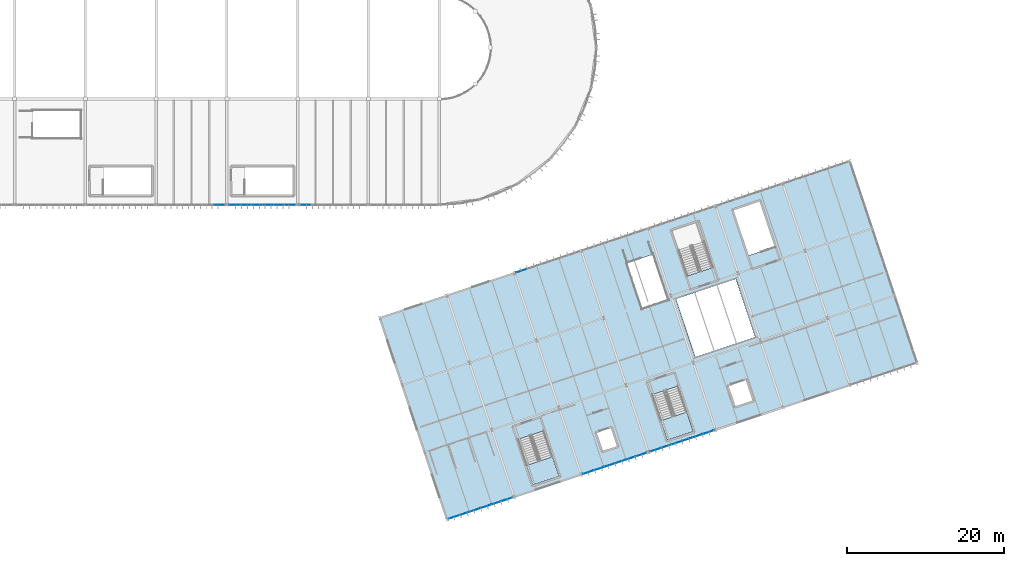
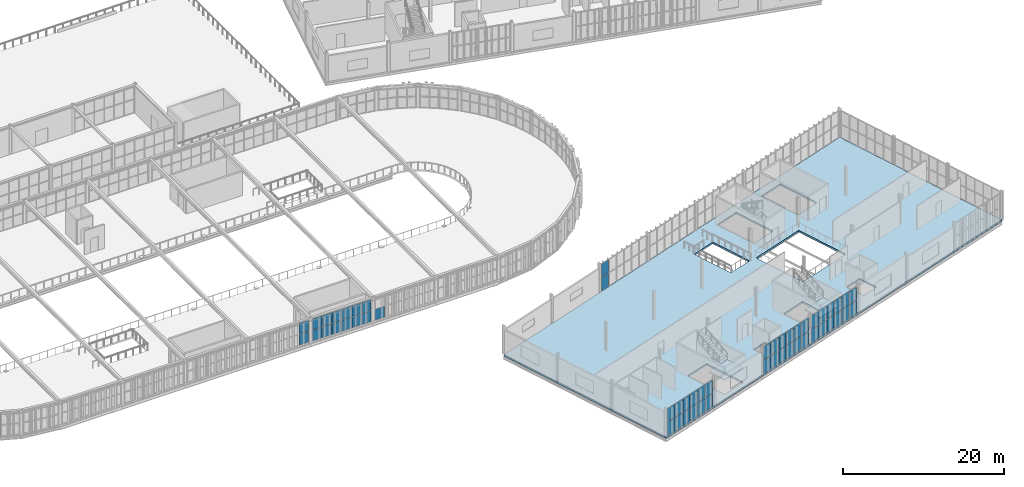
# One storey, part 106 of 152: 53 plates, 3 slabs, 9 elements without a shape of their own.
"""IFC4 building model written with IfcOpenShell, lengths in metres."""

from ifc_helpers import new_model, si_unit, derived_unit, direction, frame, origin, origin_2d, place, context, subcontext, project, spatial, polyline, rectangle, outline, extrude, material, layer, layer_set, type_object, element, aggregate, save


model = new_model("IFC4")

# Units and contexts
model_context = context("Model", 3, precision=1e-05, world=origin(), true_north=direction((0.0, 1.0)))
body_context = subcontext(model_context, "Body", "Model", "MODEL_VIEW")
ifc_project = project(units=[si_unit("LENGTHUNIT", "METRE"), si_unit("AREAUNIT", "SQUARE_METRE"), si_unit("VOLUMEUNIT", "CUBIC_METRE"), si_unit("PLANEANGLEUNIT", "RADIAN"), si_unit("MASSUNIT", "GRAM", prefix="KILO"), si_unit("THERMODYNAMICTEMPERATUREUNIT", "KELVIN"), si_unit("TIMEUNIT", "SECOND"), derived_unit("THERMALTRANSMITTANCEUNIT", [(si_unit("MASSUNIT", "GRAM", prefix="KILO"), 1), (si_unit("THERMODYNAMICTEMPERATUREUNIT", "KELVIN"), -1), (si_unit("TIMEUNIT", "SECOND"), -3)])], contexts=[model_context])

# Site, building, storey
site_placement = place(None, origin())
site = spatial("IfcSite", under=ifc_project, at=site_placement, CompositionType="ELEMENT")
building_placement = place(site_placement, origin())
building = spatial("IfcBuilding", under=site, at=building_placement, Name="Cambertide Market Hall", CompositionType="ELEMENT")
storey_placement = place(building_placement, frame((0.0, 0.0, 5.39990234375)))
storey = spatial("IfcBuildingStorey", under=building, at=storey_placement, Name="L02", CompositionType="ELEMENT", Elevation=5.39990234375)

# Stair, slab
ifc_material_1 = material(Name="Concrete B35", Category="concrete")
stair_type_1 = type_object("IfcStairType", Name="Concrete Dogleg Stair ST-05A", PredefinedType="HALF_TURN_STAIR", material=ifc_material_1)
stair_1_placement = place(storey_placement, origin())
stair_1 = element("IfcStair", 1, at=stair_1_placement, inside=storey, type_object=stair_type_1, Name="Level 2 Exit Stair Core 05A", PredefinedType="HALF_TURN_STAIR")
ifc_material_2 = material(Name="Concrete B35", Category="concrete")
ifc_layer_1 = layer(ifc_material_2, 0.199951171875, Name="Concrete Stair Half-Landing 200")
ifc_layer_set_1 = layer_set([ifc_layer_1], Name="Concrete B35")
slab_type_1 = type_object("IfcSlabType", Name="Concrete Stair Half-Landing 200", PredefinedType="LANDING", material=ifc_layer_set_1)
slab_1_placement = place(storey_placement, frame((0.0, 0.0, 2.050048828125)))
slab_1 = element("IfcSlab", 2, at=slab_1_placement, type_object=slab_type_1, Name="ST-05A landing 1", PredefinedType="LANDING", context=body_context, shape_type="SweptSolid", body=[
    extrude(outline(polyline([(116.095947265625, 18.869140625), (116.92578125, 16.379638671875), (120.24609375, 17.486572265625), (119.416259765625, 19.975830078125), (116.095947265625, 18.869140625)])), origin(), (0.0, 0.0, 1.0), 0.199951171875),
])
aggregate(stair_1, [slab_1])

ifc_material_3 = material(Name="Concrete B35", Category="concrete")
stair_type_2 = type_object("IfcStairType", Name="Concrete Dogleg Stair ST-06A", PredefinedType="HALF_TURN_STAIR", material=ifc_material_3)
stair_2_placement = place(storey_placement, origin())
stair_2 = element("IfcStair", 3, at=stair_2_placement, inside=storey, type_object=stair_type_2, Name="Level 2 Exit Stair Core 06A", PredefinedType="HALF_TURN_STAIR")
slab_2_placement = place(storey_placement, frame((0.0, 0.0, 2.050048828125)))
slab_2 = element("IfcSlab", 4, at=slab_2_placement, type_object=slab_type_1, Name="ST-06A landing 1", PredefinedType="LANDING", context=body_context, shape_type="SweptSolid", body=[
    extrude(outline(polyline([(133.172119140625, 24.561279296875), (134.001953125, 22.07177734375), (137.322265625, 23.1787109375), (136.49267578125, 25.66796875), (133.172119140625, 24.561279296875)])), origin(), (0.0, 0.0, 1.0), 0.199951171875),
])
aggregate(stair_2, [slab_2])

# Slab
ifc_material_4 = material(Name="Concrete B30", Category="concrete")
ifc_layer_2 = layer(ifc_material_4, 0.25, Name="Food Court Suspended Slab 250")
ifc_layer_set_2 = layer_set([ifc_layer_2], Name="Concrete B30")
slab_type_2 = type_object("IfcSlabType", Name="Food Court Suspended Slab 250", PredefinedType="FLOOR", material=ifc_layer_set_2)
slab_3_placement = place(storey_placement, frame((0.0, 0.0, -0.25)))
element("IfcSlab", 5, at=slab_3_placement, inside=storey, type_object=slab_type_2, Name="Level 2 Slab SLB-L02-V3", PredefinedType="FLOOR", context=body_context, shape_type="SweptSolid", body=[
    extrude(outline(polyline([(106.0, 12.0), (165.76708984375, 31.92236328125), (157.22900390625, 57.536865234375), (97.4619140625, 37.614501953125), (106.0, 12.0)]), holes=[polyline([(118.318359375, 23.269775390625), (120.24609375, 17.486572265625), (116.92578125, 16.379638671875), (114.998046875, 22.162841796875), (118.318359375, 23.269775390625)]), polyline([(144.357177734375, 45.5556640625), (142.429443359375, 51.338623046875), (145.749755859375, 52.445556640625), (147.677490234375, 46.662353515625), (144.357177734375, 45.5556640625)]), polyline([(135.39453125, 28.9619140625), (137.322265625, 23.1787109375), (134.001953125, 22.07177734375), (132.07421875, 27.85498046875), (135.39453125, 28.9619140625)]), polyline([(136.530517578125, 42.94677734375), (134.602783203125, 48.729736328125), (137.923095703125, 49.836669921875), (139.850830078125, 44.053466796875), (136.530517578125, 42.94677734375)]), polyline([(132.184814453125, 45.7060546875), (134.112548828125, 39.9228515625), (130.792236328125, 38.816162109375), (128.864501953125, 44.599365234375), (132.184814453125, 45.7060546875)]), polyline([(124.989501953125, 23.0205078125), (126.886962890625, 23.653076171875), (127.677490234375, 21.28125), (125.780029296875, 20.64892578125), (124.989501953125, 23.0205078125)]), polyline([(141.765380859375, 28.9814453125), (144.042236328125, 29.740478515625), (144.927734375, 27.083984375), (142.65087890625, 26.3251953125), (141.765380859375, 28.9814453125)]), polyline([(135.12451171875, 40.04931640625), (142.714111328125, 42.579345703125), (145.1806640625, 35.179443359375), (137.591064453125, 32.649658203125), (135.12451171875, 40.04931640625)])]), origin(), (0.0, 0.0, 1.0), 0.25),
])

# Curtain wall, plates
ifc_material_5 = material(Name="Marine Anodized Aluminium 6063-T6 AA25", Category="aluminium")
curtain_wall_type_1 = type_object("IfcCurtainWallType", Name="Lantern Straight Upper Curtain Wall", PredefinedType="USERDEFINED", material=ifc_material_5)
curtain_wall_1_placement = place(storey_placement, origin())
curtain_wall_1 = element("IfcCurtainWall", 6, at=curtain_wall_1_placement, inside=storey, type_object=curtain_wall_type_1, Name="Level 2 Curtain Wall CW-V1S-L02-4", ObjectType="UNITIZED CURTAIN WALL", PredefinedType="USERDEFINED")
ifc_material_6 = material(Name="Low-E Laminated Insulated Glass", Category="glass")
ifc_layer_3 = layer(ifc_material_6, 0.028076171875, Name="Vision Insulated Glazing Panel 28")
ifc_layer_set_3 = layer_set([ifc_layer_3], Name="Low-E Laminated Insulated Glass")
plate_type = type_object("IfcPlateType", Name="Vision Insulated Glazing Panel 28", PredefinedType="CURTAIN_PANEL", material=ifc_layer_set_3)
plate_1_placement = place(storey_placement, frame((77.041748046875, 52.0, 0.0400390625), z_axis=(0.0, 0.0, 1.0), x_axis=(-1.0, 0.0, 0.0)))
plate_1 = element("IfcPlate", 7, at=plate_1_placement, type_object=plate_type, Name="CW-V1S-L02-4 Glazing Panel 1-1", PredefinedType="CURTAIN_PANEL", context=body_context, shape_type="SweptSolid", body=[
    extrude(rectangle(XDim=1.336669921875, YDim=0.028076171875, at=origin_2d()), origin(), (0.0, 0.0, 1.0), 1.64501953125),
])
plate_2_placement = place(storey_placement, frame((77.041748046875, 52.0, 1.76513671875), z_axis=(0.0, 0.0, 1.0), x_axis=(-1.0, 0.0, 0.0)))
plate_2 = element("IfcPlate", 8, at=plate_2_placement, type_object=plate_type, Name="CW-V1S-L02-4 Glazing Panel 2-1", PredefinedType="CURTAIN_PANEL", context=body_context, shape_type="SweptSolid", body=[
    extrude(rectangle(XDim=1.336669921875, YDim=0.028076171875, at=origin_2d()), origin(), (0.0, 0.0, 1.0), 1.64501953125),
])
aggregate(curtain_wall_1, [plate_1, plate_2])

curtain_wall_2_placement = place(storey_placement, origin())
curtain_wall_2 = element("IfcCurtainWall", 9, at=curtain_wall_2_placement, inside=storey, type_object=curtain_wall_type_1, Name="Level 2 Curtain Wall CW-V1S-L02-5", ObjectType="UNITIZED CURTAIN WALL", PredefinedType="USERDEFINED")
plate_3_placement = place(storey_placement, frame((86.041748046875, 52.0, 0.0400390625), z_axis=(0.0, 0.0, 1.0), x_axis=(-1.0, 0.0, 0.0)))
plate_3 = element("IfcPlate", 10, at=plate_3_placement, type_object=plate_type, Name="CW-V1S-L02-5 Glazing Panel 1-1", PredefinedType="CURTAIN_PANEL", context=body_context, shape_type="SweptSolid", body=[
    extrude(rectangle(XDim=1.336669921875, YDim=0.028076171875, at=origin_2d()), origin(), (0.0, 0.0, 1.0), 1.64501953125),
])
plate_4_placement = place(storey_placement, frame((84.625, 52.0, 0.0400390625), z_axis=(0.0, 0.0, 1.0), x_axis=(-1.0, 0.0, 0.0)))
plate_4 = element("IfcPlate", 11, at=plate_4_placement, type_object=plate_type, Name="CW-V1S-L02-5 Glazing Panel 1-2", PredefinedType="CURTAIN_PANEL", context=body_context, shape_type="SweptSolid", body=[
    extrude(rectangle(XDim=1.336669921875, YDim=0.028076171875, at=origin_2d()), origin(), (0.0, 0.0, 1.0), 1.64501953125),
])
plate_5_placement = place(storey_placement, frame((83.208251953125, 52.0, 0.0400390625), z_axis=(0.0, 0.0, 1.0), x_axis=(-1.0, 0.0, 0.0)))
plate_5 = element("IfcPlate", 12, at=plate_5_placement, type_object=plate_type, Name="CW-V1S-L02-5 Glazing Panel 1-3", PredefinedType="CURTAIN_PANEL", context=body_context, shape_type="SweptSolid", body=[
    extrude(rectangle(XDim=1.336669921875, YDim=0.028076171875, at=origin_2d()), origin(), (0.0, 0.0, 1.0), 1.64501953125),
])
plate_6_placement = place(storey_placement, frame((81.791748046875, 52.0, 0.0400390625), z_axis=(0.0, 0.0, 1.0), x_axis=(-1.0, 0.0, 0.0)))
plate_6 = element("IfcPlate", 13, at=plate_6_placement, type_object=plate_type, Name="CW-V1S-L02-5 Glazing Panel 1-4", PredefinedType="CURTAIN_PANEL", context=body_context, shape_type="SweptSolid", body=[
    extrude(rectangle(XDim=1.336669921875, YDim=0.028076171875, at=origin_2d()), origin(), (0.0, 0.0, 1.0), 1.64501953125),
])
plate_7_placement = place(storey_placement, frame((80.375, 52.0, 0.0400390625), z_axis=(0.0, 0.0, 1.0), x_axis=(-1.0, 0.0, 0.0)))
plate_7 = element("IfcPlate", 14, at=plate_7_placement, type_object=plate_type, Name="CW-V1S-L02-5 Glazing Panel 1-5", PredefinedType="CURTAIN_PANEL", context=body_context, shape_type="SweptSolid", body=[
    extrude(rectangle(XDim=1.336669921875, YDim=0.028076171875, at=origin_2d()), origin(), (0.0, 0.0, 1.0), 1.64501953125),
])
plate_8_placement = place(storey_placement, frame((78.958251953125, 52.0, 0.0400390625), z_axis=(0.0, 0.0, 1.0), x_axis=(-1.0, 0.0, 0.0)))
plate_8 = element("IfcPlate", 15, at=plate_8_placement, type_object=plate_type, Name="CW-V1S-L02-5 Glazing Panel 1-6", PredefinedType="CURTAIN_PANEL", context=body_context, shape_type="SweptSolid", body=[
    extrude(rectangle(XDim=1.336669921875, YDim=0.028076171875, at=origin_2d()), origin(), (0.0, 0.0, 1.0), 1.64501953125),
])
plate_9_placement = place(storey_placement, frame((86.041748046875, 52.0, 1.76513671875), z_axis=(0.0, 0.0, 1.0), x_axis=(-1.0, 0.0, 0.0)))
plate_9 = element("IfcPlate", 16, at=plate_9_placement, type_object=plate_type, Name="CW-V1S-L02-5 Glazing Panel 2-1", PredefinedType="CURTAIN_PANEL", context=body_context, shape_type="SweptSolid", body=[
    extrude(rectangle(XDim=1.336669921875, YDim=0.028076171875, at=origin_2d()), origin(), (0.0, 0.0, 1.0), 1.64501953125),
])
plate_10_placement = place(storey_placement, frame((84.625, 52.0, 1.76513671875), z_axis=(0.0, 0.0, 1.0), x_axis=(-1.0, 0.0, 0.0)))
plate_10 = element("IfcPlate", 17, at=plate_10_placement, type_object=plate_type, Name="CW-V1S-L02-5 Glazing Panel 2-2", PredefinedType="CURTAIN_PANEL", context=body_context, shape_type="SweptSolid", body=[
    extrude(rectangle(XDim=1.336669921875, YDim=0.028076171875, at=origin_2d()), origin(), (0.0, 0.0, 1.0), 1.64501953125),
])
plate_11_placement = place(storey_placement, frame((83.208251953125, 52.0, 1.76513671875), z_axis=(0.0, 0.0, 1.0), x_axis=(-1.0, 0.0, 0.0)))
plate_11 = element("IfcPlate", 18, at=plate_11_placement, type_object=plate_type, Name="CW-V1S-L02-5 Glazing Panel 2-3", PredefinedType="CURTAIN_PANEL", context=body_context, shape_type="SweptSolid", body=[
    extrude(rectangle(XDim=1.336669921875, YDim=0.028076171875, at=origin_2d()), origin(), (0.0, 0.0, 1.0), 1.64501953125),
])
plate_12_placement = place(storey_placement, frame((81.791748046875, 52.0, 1.76513671875), z_axis=(0.0, 0.0, 1.0), x_axis=(-1.0, 0.0, 0.0)))
plate_12 = element("IfcPlate", 19, at=plate_12_placement, type_object=plate_type, Name="CW-V1S-L02-5 Glazing Panel 2-4", PredefinedType="CURTAIN_PANEL", context=body_context, shape_type="SweptSolid", body=[
    extrude(rectangle(XDim=1.336669921875, YDim=0.028076171875, at=origin_2d()), origin(), (0.0, 0.0, 1.0), 1.64501953125),
])
plate_13_placement = place(storey_placement, frame((80.375, 52.0, 1.76513671875), z_axis=(0.0, 0.0, 1.0), x_axis=(-1.0, 0.0, 0.0)))
plate_13 = element("IfcPlate", 20, at=plate_13_placement, type_object=plate_type, Name="CW-V1S-L02-5 Glazing Panel 2-5", PredefinedType="CURTAIN_PANEL", context=body_context, shape_type="SweptSolid", body=[
    extrude(rectangle(XDim=1.336669921875, YDim=0.028076171875, at=origin_2d()), origin(), (0.0, 0.0, 1.0), 1.64501953125),
])
plate_14_placement = place(storey_placement, frame((78.958251953125, 52.0, 1.76513671875), z_axis=(0.0, 0.0, 1.0), x_axis=(-1.0, 0.0, 0.0)))
plate_14 = element("IfcPlate", 21, at=plate_14_placement, type_object=plate_type, Name="CW-V1S-L02-5 Glazing Panel 2-6", PredefinedType="CURTAIN_PANEL", context=body_context, shape_type="SweptSolid", body=[
    extrude(rectangle(XDim=1.336669921875, YDim=0.028076171875, at=origin_2d()), origin(), (0.0, 0.0, 1.0), 1.64501953125),
])
aggregate(curtain_wall_2, [plate_3, plate_4, plate_5, plate_6, plate_7, plate_8, plate_9, plate_10, plate_11, plate_12, plate_13, plate_14])

# Curtain wall, plate
curtain_wall_3_placement = place(storey_placement, origin())
curtain_wall_3 = element("IfcCurtainWall", 22, at=curtain_wall_3_placement, inside=storey, type_object=curtain_wall_type_1, Name="Level 2 Curtain Wall CW-V1S-L02-6", ObjectType="UNITIZED CURTAIN WALL", PredefinedType="USERDEFINED")
plate_15_placement = place(storey_placement, frame((87.958251953125, 52.0, 0.0400390625), z_axis=(0.0, 0.0, 1.0), x_axis=(-1.0, 0.0, 0.0)))
plate_15 = element("IfcPlate", 23, at=plate_15_placement, type_object=plate_type, Name="CW-V1S-L02-6 Glazing Panel 1-6", PredefinedType="CURTAIN_PANEL", context=body_context, shape_type="SweptSolid", body=[
    extrude(rectangle(XDim=1.336669921875, YDim=0.028076171875, at=origin_2d()), origin(), (0.0, 0.0, 1.0), 1.64501953125),
])
aggregate(curtain_wall_3, [plate_15])

# Curtain wall, plates
ifc_material_7 = material(Name="Marine Anodized Aluminium 6063-T6 AA25", Category="aluminium")
curtain_wall_type_2 = type_object("IfcCurtainWallType", Name="Food Court Upper Glazed Facade", PredefinedType="USERDEFINED", material=ifc_material_7)
curtain_wall_4_placement = place(storey_placement, origin())
curtain_wall_4 = element("IfcCurtainWall", 24, at=curtain_wall_4_placement, inside=storey, type_object=curtain_wall_type_2, Name="Level 2 Curtain Wall CW-V3S-L02-1", ObjectType="UNITIZED CURTAIN WALL", PredefinedType="USERDEFINED")
plate_16_placement = place(storey_placement, frame((113.636962890625, 14.545654296875, 0.0400390625), z_axis=(0.0, 0.0, 1.0), x_axis=(-0.948683321523, -0.316227695598, 0.0)))
plate_16 = element("IfcPlate", 25, at=plate_16_placement, type_object=plate_type, Name="CW-V3S-L02-1 Glazing Panel 1-1", PredefinedType="CURTAIN_PANEL", context=body_context, shape_type="SweptSolid", body=[
    extrude(rectangle(XDim=1.340087890625, YDim=0.028076171875, at=origin_2d()), origin(), (0.0, 0.0, 1.0), 2.02001953125),
])
plate_17_placement = place(storey_placement, frame((112.289794921875, 14.0966796875, 0.0400390625), z_axis=(0.0, 0.0, 1.0), x_axis=(-0.948683321523, -0.316227695598, 0.0)))
plate_17 = element("IfcPlate", 26, at=plate_17_placement, type_object=plate_type, Name="CW-V3S-L02-1 Glazing Panel 1-2", PredefinedType="CURTAIN_PANEL", context=body_context, shape_type="SweptSolid", body=[
    extrude(rectangle(XDim=1.340087890625, YDim=0.028076171875, at=origin_2d()), origin(), (0.0, 0.0, 1.0), 2.02001953125),
])
plate_18_placement = place(storey_placement, frame((110.942626953125, 13.6474609375, 0.0400390625), z_axis=(0.0, 0.0, 1.0), x_axis=(-0.948683321523, -0.316227695598, 0.0)))
plate_18 = element("IfcPlate", 27, at=plate_18_placement, type_object=plate_type, Name="CW-V3S-L02-1 Glazing Panel 1-3", PredefinedType="CURTAIN_PANEL", context=body_context, shape_type="SweptSolid", body=[
    extrude(rectangle(XDim=1.340087890625, YDim=0.028076171875, at=origin_2d()), origin(), (0.0, 0.0, 1.0), 2.02001953125),
])
plate_19_placement = place(storey_placement, frame((109.595458984375, 13.198486328125, 0.0400390625), z_axis=(0.0, 0.0, 1.0), x_axis=(-0.948683321523, -0.316227695598, 0.0)))
plate_19 = element("IfcPlate", 28, at=plate_19_placement, type_object=plate_type, Name="CW-V3S-L02-1 Glazing Panel 1-4", PredefinedType="CURTAIN_PANEL", context=body_context, shape_type="SweptSolid", body=[
    extrude(rectangle(XDim=1.340087890625, YDim=0.028076171875, at=origin_2d()), origin(), (0.0, 0.0, 1.0), 2.02001953125),
])
plate_20_placement = place(storey_placement, frame((108.248291015625, 12.74951171875, 0.0400390625), z_axis=(0.0, 0.0, 1.0), x_axis=(-0.948683321523, -0.316227695598, 0.0)))
plate_20 = element("IfcPlate", 29, at=plate_20_placement, type_object=plate_type, Name="CW-V3S-L02-1 Glazing Panel 1-5", PredefinedType="CURTAIN_PANEL", context=body_context, shape_type="SweptSolid", body=[
    extrude(rectangle(XDim=1.340087890625, YDim=0.028076171875, at=origin_2d()), origin(), (0.0, 0.0, 1.0), 2.02001953125),
])
plate_21_placement = place(storey_placement, frame((106.9013671875, 12.300537109375, 0.0400390625), z_axis=(0.0, 0.0, 1.0), x_axis=(-0.948683321523, -0.316227695598, 0.0)))
plate_21 = element("IfcPlate", 30, at=plate_21_placement, type_object=plate_type, Name="CW-V3S-L02-1 Glazing Panel 1-6", PredefinedType="CURTAIN_PANEL", context=body_context, shape_type="SweptSolid", body=[
    extrude(rectangle(XDim=1.340087890625, YDim=0.028076171875, at=origin_2d()), origin(), (0.0, 0.0, 1.0), 2.02001953125),
])
plate_22_placement = place(storey_placement, frame((113.636962890625, 14.545654296875, 2.14013671875), z_axis=(0.0, 0.0, 1.0), x_axis=(-0.948683321523, -0.316227695598, 0.0)))
plate_22 = element("IfcPlate", 31, at=plate_22_placement, type_object=plate_type, Name="CW-V3S-L02-1 Glazing Panel 2-1", PredefinedType="CURTAIN_PANEL", context=body_context, shape_type="SweptSolid", body=[
    extrude(rectangle(XDim=1.340087890625, YDim=0.028076171875, at=origin_2d()), origin(), (0.0, 0.0, 1.0), 2.02001953125),
])
plate_23_placement = place(storey_placement, frame((112.289794921875, 14.0966796875, 2.14013671875), z_axis=(0.0, 0.0, 1.0), x_axis=(-0.948683321523, -0.316227695598, 0.0)))
plate_23 = element("IfcPlate", 32, at=plate_23_placement, type_object=plate_type, Name="CW-V3S-L02-1 Glazing Panel 2-2", PredefinedType="CURTAIN_PANEL", context=body_context, shape_type="SweptSolid", body=[
    extrude(rectangle(XDim=1.340087890625, YDim=0.028076171875, at=origin_2d()), origin(), (0.0, 0.0, 1.0), 2.02001953125),
])
plate_24_placement = place(storey_placement, frame((110.942626953125, 13.6474609375, 2.14013671875), z_axis=(0.0, 0.0, 1.0), x_axis=(-0.948683321523, -0.316227695598, 0.0)))
plate_24 = element("IfcPlate", 33, at=plate_24_placement, type_object=plate_type, Name="CW-V3S-L02-1 Glazing Panel 2-3", PredefinedType="CURTAIN_PANEL", context=body_context, shape_type="SweptSolid", body=[
    extrude(rectangle(XDim=1.340087890625, YDim=0.028076171875, at=origin_2d()), origin(), (0.0, 0.0, 1.0), 2.02001953125),
])
plate_25_placement = place(storey_placement, frame((109.595458984375, 13.198486328125, 2.14013671875), z_axis=(0.0, 0.0, 1.0), x_axis=(-0.948683321523, -0.316227695598, 0.0)))
plate_25 = element("IfcPlate", 34, at=plate_25_placement, type_object=plate_type, Name="CW-V3S-L02-1 Glazing Panel 2-4", PredefinedType="CURTAIN_PANEL", context=body_context, shape_type="SweptSolid", body=[
    extrude(rectangle(XDim=1.340087890625, YDim=0.028076171875, at=origin_2d()), origin(), (0.0, 0.0, 1.0), 2.02001953125),
])
plate_26_placement = place(storey_placement, frame((108.248291015625, 12.74951171875, 2.14013671875), z_axis=(0.0, 0.0, 1.0), x_axis=(-0.948683321523, -0.316227695598, 0.0)))
plate_26 = element("IfcPlate", 35, at=plate_26_placement, type_object=plate_type, Name="CW-V3S-L02-1 Glazing Panel 2-5", PredefinedType="CURTAIN_PANEL", context=body_context, shape_type="SweptSolid", body=[
    extrude(rectangle(XDim=1.340087890625, YDim=0.028076171875, at=origin_2d()), origin(), (0.0, 0.0, 1.0), 2.02001953125),
])
plate_27_placement = place(storey_placement, frame((106.9013671875, 12.300537109375, 2.14013671875), z_axis=(0.0, 0.0, 1.0), x_axis=(-0.948683321523, -0.316227695598, 0.0)))
plate_27 = element("IfcPlate", 36, at=plate_27_placement, type_object=plate_type, Name="CW-V3S-L02-1 Glazing Panel 2-6", PredefinedType="CURTAIN_PANEL", context=body_context, shape_type="SweptSolid", body=[
    extrude(rectangle(XDim=1.340087890625, YDim=0.028076171875, at=origin_2d()), origin(), (0.0, 0.0, 1.0), 2.02001953125),
])
aggregate(curtain_wall_4, [plate_16, plate_17, plate_18, plate_19, plate_20, plate_21, plate_22, plate_23, plate_24, plate_25, plate_26, plate_27])

curtain_wall_5_placement = place(storey_placement, origin())
curtain_wall_5 = element("IfcCurtainWall", 37, at=curtain_wall_5_placement, inside=storey, type_object=curtain_wall_type_2, Name="Level 2 Curtain Wall CW-V3N-L02-3", ObjectType="UNITIZED CURTAIN WALL", PredefinedType="USERDEFINED")
plate_28_placement = place(storey_placement, frame((115.439453125, 43.60693359375, 0.0400390625), z_axis=(0.0, 0.0, 1.0), x_axis=(0.948683274577, 0.316227836438, 0.0)))
plate_28 = element("IfcPlate", 38, at=plate_28_placement, type_object=plate_type, Name="CW-V3N-L02-3 Glazing Panel 1-1", PredefinedType="CURTAIN_PANEL", context=body_context, shape_type="SweptSolid", body=[
    extrude(rectangle(XDim=1.340087890625, YDim=0.028076171875, at=origin_2d()), origin(), (0.0, 0.0, 1.0), 2.02001953125),
])
plate_29_placement = place(storey_placement, frame((115.439453125, 43.60693359375, 2.14013671875), z_axis=(0.0, 0.0, 1.0), x_axis=(0.948683274577, 0.316227836438, 0.0)))
plate_29 = element("IfcPlate", 39, at=plate_29_placement, type_object=plate_type, Name="CW-V3N-L02-3 Glazing Panel 2-1", PredefinedType="CURTAIN_PANEL", context=body_context, shape_type="SweptSolid", body=[
    extrude(rectangle(XDim=1.340087890625, YDim=0.028076171875, at=origin_2d()), origin(), (0.0, 0.0, 1.0), 2.02001953125),
])
aggregate(curtain_wall_5, [plate_28, plate_29])

curtain_wall_6_placement = place(storey_placement, origin())
curtain_wall_6 = element("IfcCurtainWall", 40, at=curtain_wall_6_placement, inside=storey, type_object=curtain_wall_type_2, Name="Level 2 Curtain Wall CW-V3S-L02-3", ObjectType="UNITIZED CURTAIN WALL", PredefinedType="USERDEFINED")
plate_30_placement = place(storey_placement, frame((130.713134765625, 20.23779296875, 0.0400390625), z_axis=(0.0, 0.0, 1.0), x_axis=(-0.948683286311, -0.316227801236, 0.0)))
plate_30 = element("IfcPlate", 41, at=plate_30_placement, type_object=plate_type, Name="CW-V3S-L02-3 Glazing Panel 1-1", PredefinedType="CURTAIN_PANEL", context=body_context, shape_type="SweptSolid", body=[
    extrude(rectangle(XDim=1.340087890625, YDim=0.028076171875, at=origin_2d()), origin(), (0.0, 0.0, 1.0), 2.02001953125),
])
plate_31_placement = place(storey_placement, frame((129.365966796875, 19.78857421875, 0.0400390625), z_axis=(0.0, 0.0, 1.0), x_axis=(-0.948683286311, -0.316227801236, 0.0)))
plate_31 = element("IfcPlate", 42, at=plate_31_placement, type_object=plate_type, Name="CW-V3S-L02-3 Glazing Panel 1-2", PredefinedType="CURTAIN_PANEL", context=body_context, shape_type="SweptSolid", body=[
    extrude(rectangle(XDim=1.340087890625, YDim=0.028076171875, at=origin_2d()), origin(), (0.0, 0.0, 1.0), 2.02001953125),
])
plate_32_placement = place(storey_placement, frame((128.01904296875, 19.339599609375, 0.0400390625), z_axis=(0.0, 0.0, 1.0), x_axis=(-0.948683286311, -0.316227801236, 0.0)))
plate_32 = element("IfcPlate", 43, at=plate_32_placement, type_object=plate_type, Name="CW-V3S-L02-3 Glazing Panel 1-3", PredefinedType="CURTAIN_PANEL", context=body_context, shape_type="SweptSolid", body=[
    extrude(rectangle(XDim=1.340087890625, YDim=0.028076171875, at=origin_2d()), origin(), (0.0, 0.0, 1.0), 2.02001953125),
])
plate_33_placement = place(storey_placement, frame((126.671875, 18.890625, 0.0400390625), z_axis=(0.0, 0.0, 1.0), x_axis=(-0.948683286311, -0.316227801236, 0.0)))
plate_33 = element("IfcPlate", 44, at=plate_33_placement, type_object=plate_type, Name="CW-V3S-L02-3 Glazing Panel 1-4", PredefinedType="CURTAIN_PANEL", context=body_context, shape_type="SweptSolid", body=[
    extrude(rectangle(XDim=1.340087890625, YDim=0.028076171875, at=origin_2d()), origin(), (0.0, 0.0, 1.0), 2.02001953125),
])
plate_34_placement = place(storey_placement, frame((125.32470703125, 18.441650390625, 0.0400390625), z_axis=(0.0, 0.0, 1.0), x_axis=(-0.948683286311, -0.316227801236, 0.0)))
plate_34 = element("IfcPlate", 45, at=plate_34_placement, type_object=plate_type, Name="CW-V3S-L02-3 Glazing Panel 1-5", PredefinedType="CURTAIN_PANEL", context=body_context, shape_type="SweptSolid", body=[
    extrude(rectangle(XDim=1.340087890625, YDim=0.028076171875, at=origin_2d()), origin(), (0.0, 0.0, 1.0), 2.02001953125),
])
plate_35_placement = place(storey_placement, frame((123.9775390625, 17.992431640625, 0.0400390625), z_axis=(0.0, 0.0, 1.0), x_axis=(-0.948683286311, -0.316227801236, 0.0)))
plate_35 = element("IfcPlate", 46, at=plate_35_placement, type_object=plate_type, Name="CW-V3S-L02-3 Glazing Panel 1-6", PredefinedType="CURTAIN_PANEL", context=body_context, shape_type="SweptSolid", body=[
    extrude(rectangle(XDim=1.340087890625, YDim=0.028076171875, at=origin_2d()), origin(), (0.0, 0.0, 1.0), 2.02001953125),
])
plate_36_placement = place(storey_placement, frame((130.713134765625, 20.23779296875, 2.14013671875), z_axis=(0.0, 0.0, 1.0), x_axis=(-0.948683286311, -0.316227801236, 0.0)))
plate_36 = element("IfcPlate", 47, at=plate_36_placement, type_object=plate_type, Name="CW-V3S-L02-3 Glazing Panel 2-1", PredefinedType="CURTAIN_PANEL", context=body_context, shape_type="SweptSolid", body=[
    extrude(rectangle(XDim=1.340087890625, YDim=0.028076171875, at=origin_2d()), origin(), (0.0, 0.0, 1.0), 2.02001953125),
])
plate_37_placement = place(storey_placement, frame((129.365966796875, 19.78857421875, 2.14013671875), z_axis=(0.0, 0.0, 1.0), x_axis=(-0.948683286311, -0.316227801236, 0.0)))
plate_37 = element("IfcPlate", 48, at=plate_37_placement, type_object=plate_type, Name="CW-V3S-L02-3 Glazing Panel 2-2", PredefinedType="CURTAIN_PANEL", context=body_context, shape_type="SweptSolid", body=[
    extrude(rectangle(XDim=1.340087890625, YDim=0.028076171875, at=origin_2d()), origin(), (0.0, 0.0, 1.0), 2.02001953125),
])
plate_38_placement = place(storey_placement, frame((128.01904296875, 19.339599609375, 2.14013671875), z_axis=(0.0, 0.0, 1.0), x_axis=(-0.948683286311, -0.316227801236, 0.0)))
plate_38 = element("IfcPlate", 49, at=plate_38_placement, type_object=plate_type, Name="CW-V3S-L02-3 Glazing Panel 2-3", PredefinedType="CURTAIN_PANEL", context=body_context, shape_type="SweptSolid", body=[
    extrude(rectangle(XDim=1.340087890625, YDim=0.028076171875, at=origin_2d()), origin(), (0.0, 0.0, 1.0), 2.02001953125),
])
plate_39_placement = place(storey_placement, frame((126.671875, 18.890625, 2.14013671875), z_axis=(0.0, 0.0, 1.0), x_axis=(-0.948683286311, -0.316227801236, 0.0)))
plate_39 = element("IfcPlate", 50, at=plate_39_placement, type_object=plate_type, Name="CW-V3S-L02-3 Glazing Panel 2-4", PredefinedType="CURTAIN_PANEL", context=body_context, shape_type="SweptSolid", body=[
    extrude(rectangle(XDim=1.340087890625, YDim=0.028076171875, at=origin_2d()), origin(), (0.0, 0.0, 1.0), 2.02001953125),
])
plate_40_placement = place(storey_placement, frame((125.32470703125, 18.441650390625, 2.14013671875), z_axis=(0.0, 0.0, 1.0), x_axis=(-0.948683286311, -0.316227801236, 0.0)))
plate_40 = element("IfcPlate", 51, at=plate_40_placement, type_object=plate_type, Name="CW-V3S-L02-3 Glazing Panel 2-5", PredefinedType="CURTAIN_PANEL", context=body_context, shape_type="SweptSolid", body=[
    extrude(rectangle(XDim=1.340087890625, YDim=0.028076171875, at=origin_2d()), origin(), (0.0, 0.0, 1.0), 2.02001953125),
])
plate_41_placement = place(storey_placement, frame((123.9775390625, 17.992431640625, 2.14013671875), z_axis=(0.0, 0.0, 1.0), x_axis=(-0.948683286311, -0.316227801236, 0.0)))
plate_41 = element("IfcPlate", 52, at=plate_41_placement, type_object=plate_type, Name="CW-V3S-L02-3 Glazing Panel 2-6", PredefinedType="CURTAIN_PANEL", context=body_context, shape_type="SweptSolid", body=[
    extrude(rectangle(XDim=1.340087890625, YDim=0.028076171875, at=origin_2d()), origin(), (0.0, 0.0, 1.0), 2.02001953125),
])
aggregate(curtain_wall_6, [plate_30, plate_31, plate_32, plate_33, plate_34, plate_35, plate_36, plate_37, plate_38, plate_39, plate_40, plate_41])

curtain_wall_7_placement = place(storey_placement, origin())
curtain_wall_7 = element("IfcCurtainWall", 53, at=curtain_wall_7_placement, inside=storey, type_object=curtain_wall_type_2, Name="Level 2 Curtain Wall CW-V3S-L02-4", ObjectType="UNITIZED CURTAIN WALL", PredefinedType="USERDEFINED")
plate_42_placement = place(storey_placement, frame((139.25146484375, 23.083740234375, 0.0400390625), z_axis=(0.0, 0.0, 1.0), x_axis=(-0.948683286311, -0.316227801236, 0.0)))
plate_42 = element("IfcPlate", 54, at=plate_42_placement, type_object=plate_type, Name="CW-V3S-L02-4 Glazing Panel 1-1", PredefinedType="CURTAIN_PANEL", context=body_context, shape_type="SweptSolid", body=[
    extrude(rectangle(XDim=1.340087890625, YDim=0.028076171875, at=origin_2d()), origin(), (0.0, 0.0, 1.0), 2.02001953125),
])
plate_43_placement = place(storey_placement, frame((137.904296875, 22.634765625, 0.0400390625), z_axis=(0.0, 0.0, 1.0), x_axis=(-0.948683286311, -0.316227801236, 0.0)))
plate_43 = element("IfcPlate", 55, at=plate_43_placement, type_object=plate_type, Name="CW-V3S-L02-4 Glazing Panel 1-2", PredefinedType="CURTAIN_PANEL", context=body_context, shape_type="SweptSolid", body=[
    extrude(rectangle(XDim=1.340087890625, YDim=0.028076171875, at=origin_2d()), origin(), (0.0, 0.0, 1.0), 2.02001953125),
])
plate_44_placement = place(storey_placement, frame((136.55712890625, 22.185791015625, 0.0400390625), z_axis=(0.0, 0.0, 1.0), x_axis=(-0.948683286311, -0.316227801236, 0.0)))
plate_44 = element("IfcPlate", 56, at=plate_44_placement, type_object=plate_type, Name="CW-V3S-L02-4 Glazing Panel 1-3", PredefinedType="CURTAIN_PANEL", context=body_context, shape_type="SweptSolid", body=[
    extrude(rectangle(XDim=1.340087890625, YDim=0.028076171875, at=origin_2d()), origin(), (0.0, 0.0, 1.0), 2.02001953125),
])
plate_45_placement = place(storey_placement, frame((135.2099609375, 21.736572265625, 0.0400390625), z_axis=(0.0, 0.0, 1.0), x_axis=(-0.948683286311, -0.316227801236, 0.0)))
plate_45 = element("IfcPlate", 57, at=plate_45_placement, type_object=plate_type, Name="CW-V3S-L02-4 Glazing Panel 1-4", PredefinedType="CURTAIN_PANEL", context=body_context, shape_type="SweptSolid", body=[
    extrude(rectangle(XDim=1.340087890625, YDim=0.028076171875, at=origin_2d()), origin(), (0.0, 0.0, 1.0), 2.02001953125),
])
plate_46_placement = place(storey_placement, frame((133.86279296875, 21.28759765625, 0.0400390625), z_axis=(0.0, 0.0, 1.0), x_axis=(-0.948683286311, -0.316227801236, 0.0)))
plate_46 = element("IfcPlate", 58, at=plate_46_placement, type_object=plate_type, Name="CW-V3S-L02-4 Glazing Panel 1-5", PredefinedType="CURTAIN_PANEL", context=body_context, shape_type="SweptSolid", body=[
    extrude(rectangle(XDim=1.340087890625, YDim=0.028076171875, at=origin_2d()), origin(), (0.0, 0.0, 1.0), 2.02001953125),
])
plate_47_placement = place(storey_placement, frame((132.515625, 20.838623046875, 0.0400390625), z_axis=(0.0, 0.0, 1.0), x_axis=(-0.948683286311, -0.316227801236, 0.0)))
plate_47 = element("IfcPlate", 59, at=plate_47_placement, type_object=plate_type, Name="CW-V3S-L02-4 Glazing Panel 1-6", PredefinedType="CURTAIN_PANEL", context=body_context, shape_type="SweptSolid", body=[
    extrude(rectangle(XDim=1.340087890625, YDim=0.028076171875, at=origin_2d()), origin(), (0.0, 0.0, 1.0), 2.02001953125),
])
plate_48_placement = place(storey_placement, frame((139.25146484375, 23.083740234375, 2.14013671875), z_axis=(0.0, 0.0, 1.0), x_axis=(-0.948683286311, -0.316227801236, 0.0)))
plate_48 = element("IfcPlate", 60, at=plate_48_placement, type_object=plate_type, Name="CW-V3S-L02-4 Glazing Panel 2-1", PredefinedType="CURTAIN_PANEL", context=body_context, shape_type="SweptSolid", body=[
    extrude(rectangle(XDim=1.340087890625, YDim=0.028076171875, at=origin_2d()), origin(), (0.0, 0.0, 1.0), 2.02001953125),
])
plate_49_placement = place(storey_placement, frame((137.904296875, 22.634765625, 2.14013671875), z_axis=(0.0, 0.0, 1.0), x_axis=(-0.948683286311, -0.316227801236, 0.0)))
plate_49 = element("IfcPlate", 61, at=plate_49_placement, type_object=plate_type, Name="CW-V3S-L02-4 Glazing Panel 2-2", PredefinedType="CURTAIN_PANEL", context=body_context, shape_type="SweptSolid", body=[
    extrude(rectangle(XDim=1.340087890625, YDim=0.028076171875, at=origin_2d()), origin(), (0.0, 0.0, 1.0), 2.02001953125),
])
plate_50_placement = place(storey_placement, frame((136.55712890625, 22.185791015625, 2.14013671875), z_axis=(0.0, 0.0, 1.0), x_axis=(-0.948683286311, -0.316227801236, 0.0)))
plate_50 = element("IfcPlate", 62, at=plate_50_placement, type_object=plate_type, Name="CW-V3S-L02-4 Glazing Panel 2-3", PredefinedType="CURTAIN_PANEL", context=body_context, shape_type="SweptSolid", body=[
    extrude(rectangle(XDim=1.340087890625, YDim=0.028076171875, at=origin_2d()), origin(), (0.0, 0.0, 1.0), 2.02001953125),
])
plate_51_placement = place(storey_placement, frame((135.2099609375, 21.736572265625, 2.14013671875), z_axis=(0.0, 0.0, 1.0), x_axis=(-0.948683286311, -0.316227801236, 0.0)))
plate_51 = element("IfcPlate", 63, at=plate_51_placement, type_object=plate_type, Name="CW-V3S-L02-4 Glazing Panel 2-4", PredefinedType="CURTAIN_PANEL", context=body_context, shape_type="SweptSolid", body=[
    extrude(rectangle(XDim=1.340087890625, YDim=0.028076171875, at=origin_2d()), origin(), (0.0, 0.0, 1.0), 2.02001953125),
])
plate_52_placement = place(storey_placement, frame((133.86279296875, 21.28759765625, 2.14013671875), z_axis=(0.0, 0.0, 1.0), x_axis=(-0.948683286311, -0.316227801236, 0.0)))
plate_52 = element("IfcPlate", 64, at=plate_52_placement, type_object=plate_type, Name="CW-V3S-L02-4 Glazing Panel 2-5", PredefinedType="CURTAIN_PANEL", context=body_context, shape_type="SweptSolid", body=[
    extrude(rectangle(XDim=1.340087890625, YDim=0.028076171875, at=origin_2d()), origin(), (0.0, 0.0, 1.0), 2.02001953125),
])
plate_53_placement = place(storey_placement, frame((132.515625, 20.838623046875, 2.14013671875), z_axis=(0.0, 0.0, 1.0), x_axis=(-0.948683286311, -0.316227801236, 0.0)))
plate_53 = element("IfcPlate", 65, at=plate_53_placement, type_object=plate_type, Name="CW-V3S-L02-4 Glazing Panel 2-6", PredefinedType="CURTAIN_PANEL", context=body_context, shape_type="SweptSolid", body=[
    extrude(rectangle(XDim=1.340087890625, YDim=0.028076171875, at=origin_2d()), origin(), (0.0, 0.0, 1.0), 2.02001953125),
])
aggregate(curtain_wall_7, [plate_42, plate_43, plate_44, plate_45, plate_46, plate_47, plate_48, plate_49, plate_50, plate_51, plate_52, plate_53])

save(model, "model.ifc")
